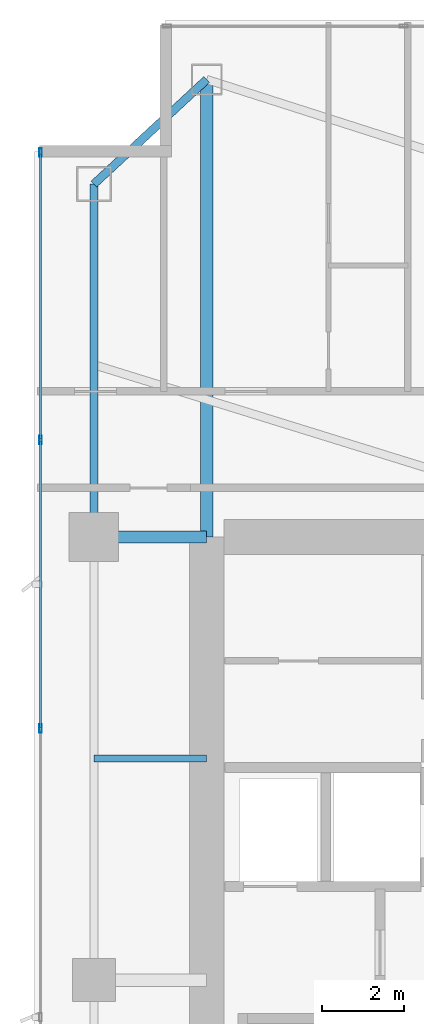
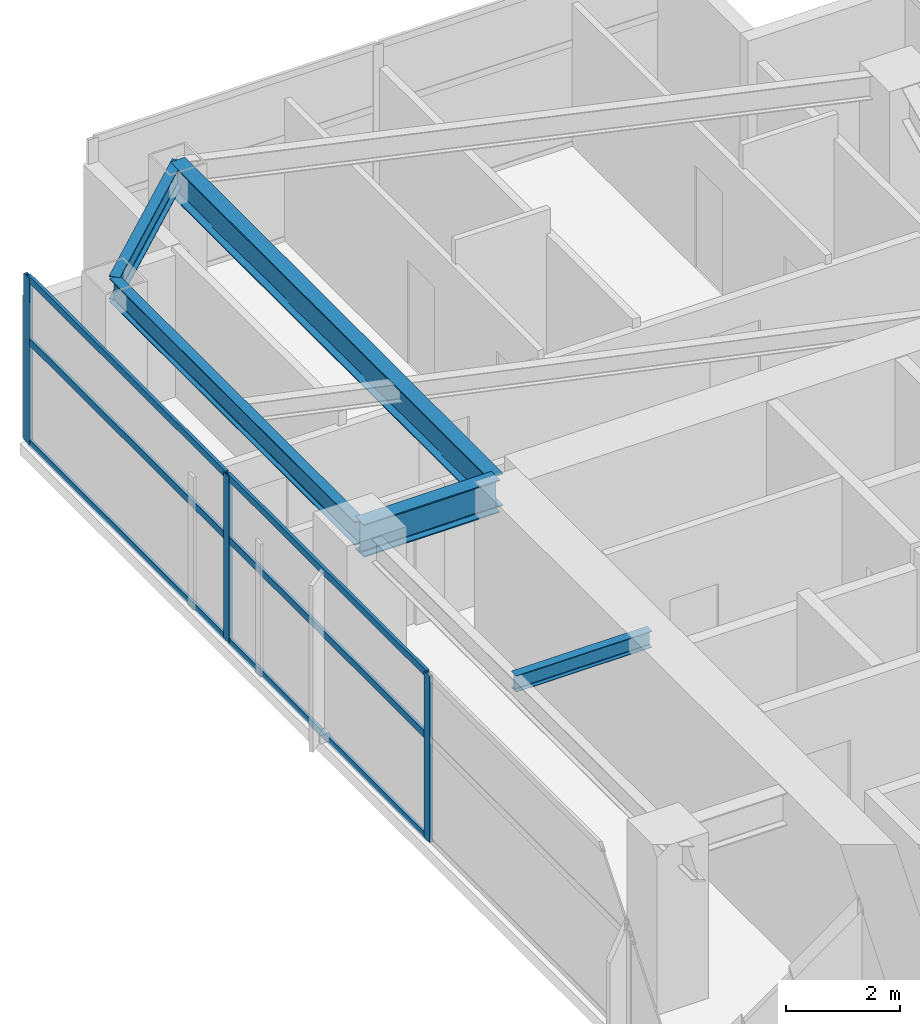
# One storey, part 16 of 28: 9 members, 5 beams, 1 element without a shape of its own.
"""IFC4 building model written with IfcOpenShell, lengths in metres."""

from ifc_helpers import new_model, si_unit, direction, frame, origin, origin_2d, place, context, subcontext, project, spatial, hollow_rectangle, i_section, extrude, material, layer, layer_set, material_profile, profile_set, type_object, element, aggregate, save


model = new_model("IFC4")

# Units and contexts
model_context = context("Model", 3, precision=1e-05, world=origin(), true_north=direction((0.0, 1.0)))
body_context = subcontext(model_context, "Body", "Model", "MODEL_VIEW")
ifc_project = project(units=[si_unit("LENGTHUNIT", "METRE"), si_unit("AREAUNIT", "SQUARE_METRE"), si_unit("VOLUMEUNIT", "CUBIC_METRE"), si_unit("PLANEANGLEUNIT", "RADIAN"), si_unit("MASSUNIT", "GRAM", prefix="KILO")], contexts=[model_context])

# Site, building, storey
site_placement = place(None, origin())
site = spatial("IfcSite", under=ifc_project, at=site_placement, CompositionType="ELEMENT")
building_placement = place(site_placement, origin())
building = spatial("IfcBuilding", under=site, at=building_placement, Name="Calvorn Quay Hotel", CompositionType="ELEMENT")
storey_placement = place(building_placement, frame((0.0, 0.0, 112.60009765625)))
storey = spatial("IfcBuildingStorey", under=building, at=storey_placement, Name="L27", CompositionType="ELEMENT", Elevation=112.60009765625)

# Beams
ifc_material_1 = material(Name="Steel Q390GJC", Category="steel")
ifc_material_profile_1 = material_profile(ifc_material_1, i_section(OverallWidth=0.300048828125, OverallDepth=0.699951171875, WebThickness=0.012939453125, FlangeThickness=0.02392578125, FilletRadius=0.02392578125, at=origin_2d()), Name="HN700x300x13x24")
ifc_profile_set_1 = profile_set([ifc_material_profile_1], Name="Steel Q390GJC")
beam_type_1 = type_object("IfcBeamType", Name="BM-GIRD-MAIN", PredefinedType="BEAM", material=ifc_profile_set_1)
beam_1_placement = place(storey_placement, frame((1.449951171875, 38.39990234375, 3.18994140625), z_axis=(1.0, 0.0, 0.0), x_axis=(0.0, 1.0, 0.0)))
element("IfcBeam", 1, at=beam_1_placement, inside=storey, type_object=beam_type_1, Name="Beam BG-L27-W3", PredefinedType="BEAM", context=body_context, shape_type="SweptSolid", body=[
    extrude(i_section(OverallWidth=0.300048828125, OverallDepth=0.699951171875, WebThickness=0.012939453125, FlangeThickness=0.02392578125, FilletRadius=0.02392578125, at=origin_2d()), origin(), (0.0, 0.0, 1.0), 2.75),
])
beam_2_placement = place(storey_placement, frame((4.199951171875, 49.550048828125, 3.18994140625), z_axis=(0.0, -1.0, 0.0), x_axis=(1.0, 0.0, 0.0)))
element("IfcBeam", 2, at=beam_2_placement, inside=storey, type_object=beam_type_1, Name="Beam BG-L27-W5", PredefinedType="BEAM", context=body_context, shape_type="SweptSolid", body=[
    extrude(i_section(OverallWidth=0.300048828125, OverallDepth=0.699951171875, WebThickness=0.012939453125, FlangeThickness=0.02392578125, FilletRadius=0.02392578125, at=origin_2d()), origin(), (0.0, 0.0, 1.0), 11.150146484375),
])
ifc_material_2 = material(Name="Steel Q355B", Category="steel")
ifc_material_profile_2 = material_profile(ifc_material_2, i_section(OverallWidth=0.175048828125, OverallDepth=0.35009765625, WebThickness=0.007080078125, FlangeThickness=0.010986328125, FilletRadius=0.013916015625, at=origin_2d()), Name="HN350x175x7x11")
ifc_profile_set_2 = profile_set([ifc_material_profile_2], Name="Steel Q355B")
beam_type_2 = type_object("IfcBeamType", Name="BM-JOIST-SEC", PredefinedType="JOIST", material=ifc_profile_set_2)
beam_3_placement = place(storey_placement, frame((1.449951171875, 33.0, 3.364990234375), z_axis=(1.0, 0.0, 0.0), x_axis=(0.0, 1.0, 0.0)))
element("IfcBeam", 3, at=beam_3_placement, inside=storey, type_object=beam_type_2, Name="Beam BJ-L27-W4", PredefinedType="JOIST", context=body_context, shape_type="SweptSolid", body=[
    extrude(i_section(OverallWidth=0.175048828125, OverallDepth=0.35009765625, WebThickness=0.007080078125, FlangeThickness=0.010986328125, FilletRadius=0.013916015625, at=origin_2d()), origin(), (0.0, 0.0, 1.0), 2.75),
])
ifc_material_3 = material(Name="Steel Q355B", Category="steel")
ifc_material_profile_3 = material_profile(ifc_material_3, i_section(OverallWidth=0.199951171875, OverallDepth=0.5, WebThickness=0.010009765625, FlangeThickness=0.01611328125, FilletRadius=0.01611328125, at=origin_2d()), Name="HN500x200x10x16")
ifc_profile_set_3 = profile_set([ifc_material_profile_3], Name="Steel Q355B")
beam_type_3 = type_object("IfcBeamType", Name="BM-SPANDREL-Z1", PredefinedType="SPANDREL", material=ifc_profile_set_3)
beam_4_placement = place(storey_placement, frame((1.449951171875, 38.39990234375, 3.289794921875), z_axis=(0.0, 1.0, 0.0), x_axis=(-1.0, 0.0, 0.0)))
element("IfcBeam", 4, at=beam_4_placement, inside=storey, type_object=beam_type_3, Name="Beam BSP-L27-W4", PredefinedType="SPANDREL", context=body_context, shape_type="SweptSolid", body=[
    extrude(i_section(OverallWidth=0.199951171875, OverallDepth=0.5, WebThickness=0.010009765625, FlangeThickness=0.01611328125, FilletRadius=0.01611328125, at=origin_2d()), origin(), (0.0, 0.0, 1.0), 8.60009765625),
])
beam_5_placement = place(storey_placement, frame((1.449951171875, 47.0, 3.289794921875), z_axis=(0.733261665538, 0.679946563969, 0.0), x_axis=(-0.679946563969, 0.733261665538, 0.0)))
element("IfcBeam", 5, at=beam_5_placement, inside=storey, type_object=beam_type_3, Name="Beam BSP-L27-W5", PredefinedType="SPANDREL", context=body_context, shape_type="SweptSolid", body=[
    extrude(i_section(OverallWidth=0.199951171875, OverallDepth=0.5, WebThickness=0.010009765625, FlangeThickness=0.01611328125, FilletRadius=0.01611328125, at=origin_2d()), origin(), (0.0, 0.0, 1.0), 3.75048828125),
])

# Curtain wall, members
ifc_material_4 = material(Name="Pale Anodised Aluminium and Low-E Glass", Category="aluminium")
ifc_layer = layer(ifc_material_4, 0.219970703125)
ifc_layer_set = layer_set([ifc_layer], Name="CW-SYS-Z2")
curtain_wall_type = type_object("IfcCurtainWallType", Name="CW-SYS-Z2", PredefinedType="NOTDEFINED", material=ifc_layer_set)
curtain_wall_placement = place(storey_placement, origin())
curtain_wall = element("IfcCurtainWall", 6, at=curtain_wall_placement, inside=storey, type_object=curtain_wall_type, Name="Tower West Curtain Wall (L27)", PredefinedType="NOTDEFINED")
ifc_material_5 = material(Name="Pale Anodised Aluminium 6063-T6", Category="aluminium")
ifc_material_profile_4 = material_profile(ifc_material_5, hollow_rectangle(XDim=0.070068359375, YDim=0.199951171875, WallThickness=0.00390625, at=origin_2d()), Name="ALU-M200x70x4")
ifc_profile_set_4 = profile_set([ifc_material_profile_4], Name="Pale Anodised Aluminium 6063-T6")
member_type_1 = type_object("IfcMemberType", Name="CW-SYS-Z2-MUL", PredefinedType="MULLION", material=ifc_profile_set_4)
member_1_placement = place(storey_placement, frame((0.14990234375, 33.7333984375, 0.0), z_axis=(0.0, 0.0, 1.0), x_axis=(-1.0, 0.0, 0.0)))
member_1 = element("IfcMember", 7, at=member_1_placement, type_object=member_type_1, Name="CW-L27-W mullion 5", PredefinedType="MULLION", context=body_context, shape_type="SweptSolid", body=[
    extrude(hollow_rectangle(XDim=0.070068359375, YDim=0.199951171875, WallThickness=0.00390625, at=origin_2d()), origin(), (0.0, 0.0, 1.0), 3.559814453125),
])
member_2_placement = place(storey_placement, frame((0.14990234375, 40.7666015625, 0.0), z_axis=(0.0, 0.0, 1.0), x_axis=(-1.0, 0.0, 0.0)))
member_2 = element("IfcMember", 8, at=member_2_placement, type_object=member_type_1, Name="CW-L27-W mullion 6", PredefinedType="MULLION", context=body_context, shape_type="SweptSolid", body=[
    extrude(hollow_rectangle(XDim=0.070068359375, YDim=0.199951171875, WallThickness=0.00390625, at=origin_2d()), origin(), (0.0, 0.0, 1.0), 3.559814453125),
])
member_3_placement = place(storey_placement, frame((0.14990234375, 47.77001953125, 0.0), z_axis=(0.0, 0.0, 1.0), x_axis=(-1.0, 0.0, 0.0)))
member_3 = element("IfcMember", 9, at=member_3_placement, type_object=member_type_1, Name="CW-L27-W mullion 7", PredefinedType="MULLION", context=body_context, shape_type="SweptSolid", body=[
    extrude(hollow_rectangle(XDim=0.070068359375, YDim=0.199951171875, WallThickness=0.00390625, at=origin_2d()), origin(), (0.0, 0.0, 1.0), 3.559814453125),
])
ifc_material_6 = material(Name="Pale Anodised Aluminium 6063-T6", Category="aluminium")
ifc_material_profile_5 = material_profile(ifc_material_6, hollow_rectangle(XDim=0.06005859375, YDim=0.14990234375, WallThickness=0.00341796875, at=origin_2d()), Name="ALU-T150x60x3.5")
ifc_profile_set_5 = profile_set([ifc_material_profile_5], Name="Pale Anodised Aluminium 6063-T6")
member_type_2 = type_object("IfcMemberType", Name="CW-SYS-Z2-TRN", PredefinedType="USERDEFINED", material=ifc_profile_set_5)
member_4_placement = place(storey_placement, frame((0.14990234375, 33.763427734375, 0.02978515625), z_axis=(0.0, 1.0, 0.0), x_axis=(-1.0, 0.0, 0.0)))
member_4 = element("IfcMember", 10, at=member_4_placement, type_object=member_type_2, Name="CW-L27-W transom 5.1", ObjectType="TRANSOM", PredefinedType="USERDEFINED", context=body_context, shape_type="SweptSolid", body=[
    extrude(hollow_rectangle(XDim=0.06005859375, YDim=0.14990234375, WallThickness=0.00341796875, at=origin_2d()), origin(), (0.0, 0.0, 1.0), 6.97314453125),
])
member_5_placement = place(storey_placement, frame((0.14990234375, 33.763427734375, 2.199951171875), z_axis=(0.0, 1.0, 0.0), x_axis=(-1.0, 0.0, 0.0)))
member_5 = element("IfcMember", 11, at=member_5_placement, type_object=member_type_2, Name="CW-L27-W transom 5.2", ObjectType="TRANSOM", PredefinedType="USERDEFINED", context=body_context, shape_type="SweptSolid", body=[
    extrude(hollow_rectangle(XDim=0.06005859375, YDim=0.14990234375, WallThickness=0.00341796875, at=origin_2d()), origin(), (0.0, 0.0, 1.0), 6.97314453125),
])
member_6_placement = place(storey_placement, frame((0.14990234375, 33.763427734375, 3.52978515625), z_axis=(0.0, 1.0, 0.0), x_axis=(-1.0, 0.0, 0.0)))
member_6 = element("IfcMember", 12, at=member_6_placement, type_object=member_type_2, Name="CW-L27-W transom 5.3", ObjectType="TRANSOM", PredefinedType="USERDEFINED", context=body_context, shape_type="SweptSolid", body=[
    extrude(hollow_rectangle(XDim=0.06005859375, YDim=0.14990234375, WallThickness=0.00341796875, at=origin_2d()), origin(), (0.0, 0.0, 1.0), 6.97314453125),
])
member_7_placement = place(storey_placement, frame((0.14990234375, 40.796630859375, 0.02978515625), z_axis=(0.0, 1.0, 0.0), x_axis=(-1.0, 0.0, 0.0)))
member_7 = element("IfcMember", 13, at=member_7_placement, type_object=member_type_2, Name="CW-L27-W transom 6.1", ObjectType="TRANSOM", PredefinedType="USERDEFINED", context=body_context, shape_type="SweptSolid", body=[
    extrude(hollow_rectangle(XDim=0.06005859375, YDim=0.14990234375, WallThickness=0.00341796875, at=origin_2d()), origin(), (0.0, 0.0, 1.0), 6.943359375),
])
member_8_placement = place(storey_placement, frame((0.14990234375, 40.796630859375, 2.199951171875), z_axis=(0.0, 1.0, 0.0), x_axis=(-1.0, 0.0, 0.0)))
member_8 = element("IfcMember", 14, at=member_8_placement, type_object=member_type_2, Name="CW-L27-W transom 6.2", ObjectType="TRANSOM", PredefinedType="USERDEFINED", context=body_context, shape_type="SweptSolid", body=[
    extrude(hollow_rectangle(XDim=0.06005859375, YDim=0.14990234375, WallThickness=0.00341796875, at=origin_2d()), origin(), (0.0, 0.0, 1.0), 6.943359375),
])
member_9_placement = place(storey_placement, frame((0.14990234375, 40.796630859375, 3.52978515625), z_axis=(0.0, 1.0, 0.0), x_axis=(-1.0, 0.0, 0.0)))
member_9 = element("IfcMember", 15, at=member_9_placement, type_object=member_type_2, Name="CW-L27-W transom 6.3", ObjectType="TRANSOM", PredefinedType="USERDEFINED", context=body_context, shape_type="SweptSolid", body=[
    extrude(hollow_rectangle(XDim=0.06005859375, YDim=0.14990234375, WallThickness=0.00341796875, at=origin_2d()), origin(), (0.0, 0.0, 1.0), 6.943359375),
])
aggregate(curtain_wall, [member_1, member_2, member_3, member_4, member_5, member_6, member_7, member_8, member_9])

save(model, "model.ifc")
